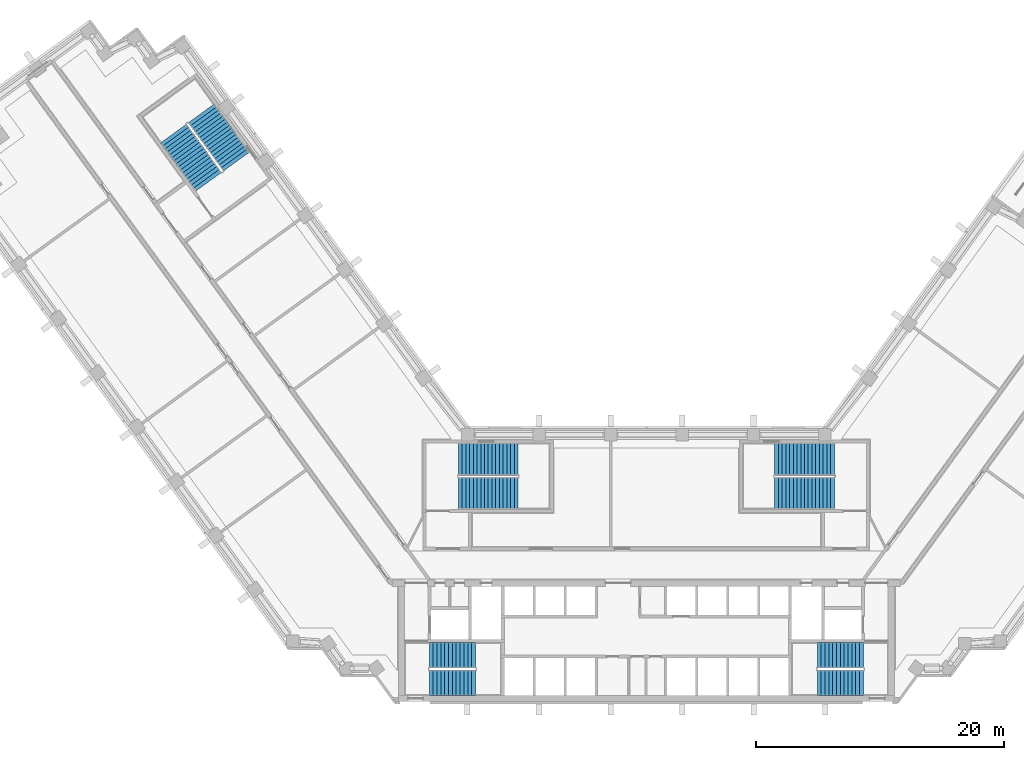
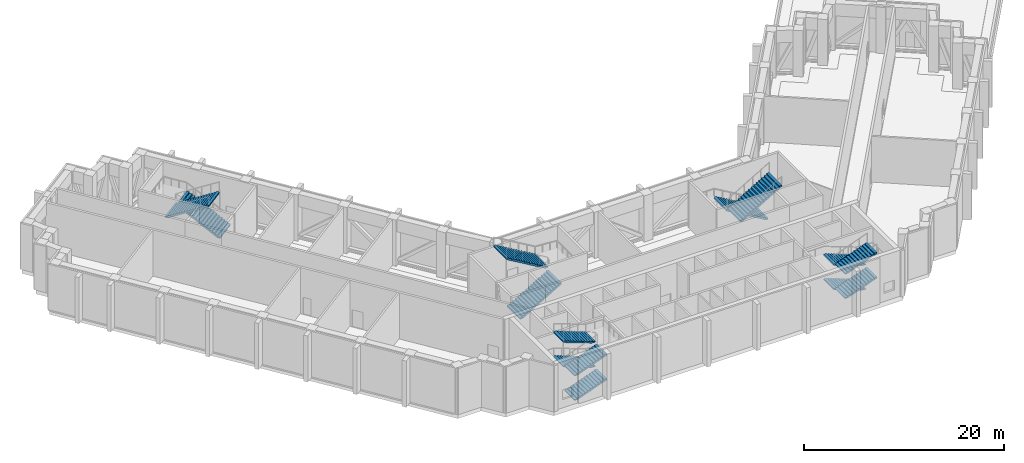
# One storey, part 15 of 18: 14 stair flights, 5 elements without a shape of their own.
"""IFC4 building model written with IfcOpenShell, lengths in metres."""

from ifc_helpers import new_model, si_unit, direction, frame, origin, place, context, subcontext, project, spatial, polyline, outline, extrude, material, type_object, element, aggregate, save


model = new_model("IFC4")

# Units and contexts
model_context = context("Model", 3, precision=1e-05, world=origin(), true_north=direction((0.0, 1.0)))
body_context = subcontext(model_context, "Body", "Model", "MODEL_VIEW")
ifc_project = project(units=[si_unit("LENGTHUNIT", "METRE"), si_unit("AREAUNIT", "SQUARE_METRE"), si_unit("VOLUMEUNIT", "CUBIC_METRE"), si_unit("PLANEANGLEUNIT", "RADIAN"), si_unit("MASSUNIT", "GRAM", prefix="KILO")], contexts=[model_context])

# Site, building, storey
site_placement = place(None, origin())
site = spatial("IfcSite", under=ifc_project, at=site_placement, CompositionType="ELEMENT")
building_placement = place(site_placement, origin())
building = spatial("IfcBuilding", under=site, at=building_placement, Name="Quipu Civic Tower", CompositionType="ELEMENT")
storey_placement = place(building_placement, frame((0.0, 0.0, 79.0)))
storey = spatial("IfcBuildingStorey", under=building, at=storey_placement, Name="L18", CompositionType="ELEMENT", Elevation=79.0)

# Stair, stair flights
ifc_material_1 = material(Name="Concrete C40/50", Category="concrete")
stair_type_1 = type_object("IfcStairType", Name="Half turn stair 2000", PredefinedType="HALF_TURN_STAIR", material=ifc_material_1)
stair_1_placement = place(storey_placement, origin())
stair_1 = element("IfcStair", 1, at=stair_1_placement, inside=storey, type_object=stair_type_1, Name="Exit stair 1", PredefinedType="HALF_TURN_STAIR")
ifc_material_2 = material(Name="Concrete C40/50", Category="concrete")
stair_flight_type_1 = type_object("IfcStairFlightType", Name="Stair flight 2000", PredefinedType="STRAIGHT", material=ifc_material_2)
stair_flight_1_placement = place(storey_placement, frame((-17.5, -9.5, 0.0), z_axis=(0.0, 0.0, 1.0), x_axis=(1.0, 0.0, 0.0)))
stair_flight_1 = element("IfcStairFlight", 2, at=stair_flight_1_placement, type_object=stair_flight_type_1, Name="ST-1 flight 1", NumberOfRisers=13, NumberOfTreads=12, PredefinedType="STRAIGHT", RiserHeight=0.115384615, TreadLength=0.31, context=body_context, shape_type="SweptSolid", body=[
    extrude(outline(polyline([(0.0, 0.0), (0.0, 0.115478515625), (0.31005859375, 0.115478515625), (0.31005859375, 0.230712890625), (0.6201171875, 0.230712890625), (0.6201171875, 0.34619140625), (0.929931640625, 0.34619140625), (0.929931640625, 0.46142578125), (1.239990234375, 0.46142578125), (1.239990234375, 0.576904296875), (1.550048828125, 0.576904296875), (1.550048828125, 0.6923828125), (1.860107421875, 0.6923828125), (1.860107421875, 0.8076171875), (2.169921875, 0.8076171875), (2.169921875, 0.923095703125), (2.47998046875, 0.923095703125), (2.47998046875, 1.03857421875), (2.7900390625, 1.03857421875), (2.7900390625, 1.15380859375), (3.10009765625, 1.15380859375), (3.10009765625, 1.269287109375), (3.409912109375, 1.269287109375), (3.409912109375, 1.384521484375), (3.719970703125, 1.384521484375), (3.719970703125, 1.5), (3.719970703125, 1.224609375), (0.4296875, 0.0), (0.0, 0.0)])), frame((0.0, 1.0, 0.0), z_axis=(0.0, -1.0, 0.0), x_axis=(1.0, 0.0, 0.0)), (0.0, 0.0, 1.0), 2.0),
])
stair_flight_2_placement = place(storey_placement, frame((-13.780029296875, -7.25, 1.5), z_axis=(0.0, 0.0, 1.0), x_axis=(-1.0, 0.0, 0.0)))
stair_flight_2 = element("IfcStairFlight", 3, at=stair_flight_2_placement, type_object=stair_flight_type_1, Name="ST-1 flight 2", NumberOfRisers=13, NumberOfTreads=12, PredefinedType="STRAIGHT", RiserHeight=0.115384615, TreadLength=0.31, context=body_context, shape_type="SweptSolid", body=[
    extrude(outline(polyline([(0.0, 0.0), (0.0, 0.115478515625), (0.31005859375, 0.115478515625), (0.31005859375, 0.230712890625), (0.6201171875, 0.230712890625), (0.6201171875, 0.34619140625), (0.929931640625, 0.34619140625), (0.929931640625, 0.46142578125), (1.239990234375, 0.46142578125), (1.239990234375, 0.576904296875), (1.550048828125, 0.576904296875), (1.550048828125, 0.6923828125), (1.860107421875, 0.6923828125), (1.860107421875, 0.8076171875), (2.169921875, 0.8076171875), (2.169921875, 0.923095703125), (2.47998046875, 0.923095703125), (2.47998046875, 1.03857421875), (2.7900390625, 1.03857421875), (2.7900390625, 1.15380859375), (3.10009765625, 1.15380859375), (3.10009765625, 1.269287109375), (3.409912109375, 1.269287109375), (3.409912109375, 1.384521484375), (3.719970703125, 1.384521484375), (3.719970703125, 1.5), (3.719970703125, 1.224609375), (0.4296875, 0.0), (0.0, 0.0)])), frame((0.0, 1.0, 0.0), z_axis=(0.0, -1.0, 0.0), x_axis=(1.0, 0.0, 0.0)), (0.0, 0.0, 1.0), 2.0),
])
stair_flight_3_placement = place(storey_placement, frame((-17.5, -9.5, 3.0), z_axis=(0.0, 0.0, 1.0), x_axis=(1.0, 0.0, 0.0)))
stair_flight_3 = element("IfcStairFlight", 4, at=stair_flight_3_placement, type_object=stair_flight_type_1, Name="ST-1 flight 3", NumberOfRisers=13, NumberOfTreads=12, PredefinedType="STRAIGHT", RiserHeight=0.115384615, TreadLength=0.31, context=body_context, shape_type="SweptSolid", body=[
    extrude(outline(polyline([(0.0, 0.0), (0.0, 0.115478515625), (0.31005859375, 0.115478515625), (0.31005859375, 0.230712890625), (0.6201171875, 0.230712890625), (0.6201171875, 0.34619140625), (0.929931640625, 0.34619140625), (0.929931640625, 0.46142578125), (1.239990234375, 0.46142578125), (1.239990234375, 0.576904296875), (1.550048828125, 0.576904296875), (1.550048828125, 0.6923828125), (1.860107421875, 0.6923828125), (1.860107421875, 0.8076171875), (2.169921875, 0.8076171875), (2.169921875, 0.923095703125), (2.47998046875, 0.923095703125), (2.47998046875, 1.03857421875), (2.7900390625, 1.03857421875), (2.7900390625, 1.15380859375), (3.10009765625, 1.15380859375), (3.10009765625, 1.269287109375), (3.409912109375, 1.269287109375), (3.409912109375, 1.384521484375), (3.719970703125, 1.384521484375), (3.719970703125, 1.5), (3.719970703125, 1.224609375), (0.4296875, 0.0), (0.0, 0.0)])), frame((0.0, 1.0, 0.0), z_axis=(0.0, -1.0, 0.0), x_axis=(1.0, 0.0, 0.0)), (0.0, 0.0, 1.0), 2.0),
])
stair_flight_4_placement = place(storey_placement, frame((-13.780029296875, -7.25, 4.5), z_axis=(0.0, 0.0, 1.0), x_axis=(-1.0, 0.0, 0.0)))
stair_flight_4 = element("IfcStairFlight", 5, at=stair_flight_4_placement, type_object=stair_flight_type_1, Name="ST-1 flight 4", NumberOfRisers=13, NumberOfTreads=12, PredefinedType="STRAIGHT", RiserHeight=0.115384615, TreadLength=0.31, context=body_context, shape_type="SweptSolid", body=[
    extrude(outline(polyline([(0.0, 0.0), (0.0, 0.115478515625), (0.31005859375, 0.115478515625), (0.31005859375, 0.230712890625), (0.6201171875, 0.230712890625), (0.6201171875, 0.34619140625), (0.929931640625, 0.34619140625), (0.929931640625, 0.46142578125), (1.239990234375, 0.46142578125), (1.239990234375, 0.576904296875), (1.550048828125, 0.576904296875), (1.550048828125, 0.6923828125), (1.860107421875, 0.6923828125), (1.860107421875, 0.8076171875), (2.169921875, 0.8076171875), (2.169921875, 0.923095703125), (2.47998046875, 0.923095703125), (2.47998046875, 1.03857421875), (2.7900390625, 1.03857421875), (2.7900390625, 1.15380859375), (3.10009765625, 1.15380859375), (3.10009765625, 1.269287109375), (3.409912109375, 1.269287109375), (3.409912109375, 1.384521484375), (3.719970703125, 1.384521484375), (3.719970703125, 1.5), (3.719970703125, 1.224609375), (0.4296875, 0.0), (0.0, 0.0)])), frame((0.0, 1.0, 0.0), z_axis=(0.0, -1.0, 0.0), x_axis=(1.0, 0.0, 0.0)), (0.0, 0.0, 1.0), 2.0),
])
aggregate(stair_1, [stair_flight_1, stair_flight_2, stair_flight_3, stair_flight_4])

stair_2_placement = place(storey_placement, origin())
stair_2 = element("IfcStair", 6, at=stair_2_placement, inside=storey, type_object=stair_type_1, Name="Exit stair 2", PredefinedType="HALF_TURN_STAIR")
stair_flight_5_placement = place(storey_placement, frame((17.5, -7.25, 0.0), z_axis=(0.0, 0.0, 1.0), x_axis=(-1.0, 0.0, 0.0)))
stair_flight_5 = element("IfcStairFlight", 7, at=stair_flight_5_placement, type_object=stair_flight_type_1, Name="ST-2 flight 1", NumberOfRisers=13, NumberOfTreads=12, PredefinedType="STRAIGHT", RiserHeight=0.115384615, TreadLength=0.31, context=body_context, shape_type="SweptSolid", body=[
    extrude(outline(polyline([(0.0, 0.0), (0.0, 0.115478515625), (0.31005859375, 0.115478515625), (0.31005859375, 0.230712890625), (0.6201171875, 0.230712890625), (0.6201171875, 0.34619140625), (0.929931640625, 0.34619140625), (0.929931640625, 0.46142578125), (1.239990234375, 0.46142578125), (1.239990234375, 0.576904296875), (1.550048828125, 0.576904296875), (1.550048828125, 0.6923828125), (1.860107421875, 0.6923828125), (1.860107421875, 0.8076171875), (2.169921875, 0.8076171875), (2.169921875, 0.923095703125), (2.47998046875, 0.923095703125), (2.47998046875, 1.03857421875), (2.7900390625, 1.03857421875), (2.7900390625, 1.15380859375), (3.10009765625, 1.15380859375), (3.10009765625, 1.269287109375), (3.409912109375, 1.269287109375), (3.409912109375, 1.384521484375), (3.719970703125, 1.384521484375), (3.719970703125, 1.5), (3.719970703125, 1.224609375), (0.4296875, 0.0), (0.0, 0.0)])), frame((0.0, 1.0, 0.0), z_axis=(0.0, -1.0, 0.0), x_axis=(1.0, 0.0, 0.0)), (0.0, 0.0, 1.0), 2.0),
])
stair_flight_6_placement = place(storey_placement, frame((13.780029296875, -9.5, 1.5), z_axis=(0.0, 0.0, 1.0), x_axis=(1.0, 0.0, 0.0)))
stair_flight_6 = element("IfcStairFlight", 8, at=stair_flight_6_placement, type_object=stair_flight_type_1, Name="ST-2 flight 2", NumberOfRisers=13, NumberOfTreads=12, PredefinedType="STRAIGHT", RiserHeight=0.115384615, TreadLength=0.31, context=body_context, shape_type="SweptSolid", body=[
    extrude(outline(polyline([(0.0, 0.0), (0.0, 0.115478515625), (0.31005859375, 0.115478515625), (0.31005859375, 0.230712890625), (0.6201171875, 0.230712890625), (0.6201171875, 0.34619140625), (0.929931640625, 0.34619140625), (0.929931640625, 0.46142578125), (1.239990234375, 0.46142578125), (1.239990234375, 0.576904296875), (1.550048828125, 0.576904296875), (1.550048828125, 0.6923828125), (1.860107421875, 0.6923828125), (1.860107421875, 0.8076171875), (2.169921875, 0.8076171875), (2.169921875, 0.923095703125), (2.47998046875, 0.923095703125), (2.47998046875, 1.03857421875), (2.7900390625, 1.03857421875), (2.7900390625, 1.15380859375), (3.10009765625, 1.15380859375), (3.10009765625, 1.269287109375), (3.409912109375, 1.269287109375), (3.409912109375, 1.384521484375), (3.719970703125, 1.384521484375), (3.719970703125, 1.5), (3.719970703125, 1.224609375), (0.4296875, 0.0), (0.0, 0.0)])), frame((0.0, 1.0, 0.0), z_axis=(0.0, -1.0, 0.0), x_axis=(1.0, 0.0, 0.0)), (0.0, 0.0, 1.0), 2.0),
])
stair_flight_7_placement = place(storey_placement, frame((17.5, -7.25, 3.0), z_axis=(0.0, 0.0, 1.0), x_axis=(-1.0, 0.0, 0.0)))
stair_flight_7 = element("IfcStairFlight", 9, at=stair_flight_7_placement, type_object=stair_flight_type_1, Name="ST-2 flight 3", NumberOfRisers=13, NumberOfTreads=12, PredefinedType="STRAIGHT", RiserHeight=0.115384615, TreadLength=0.31, context=body_context, shape_type="SweptSolid", body=[
    extrude(outline(polyline([(0.0, 0.0), (0.0, 0.115478515625), (0.31005859375, 0.115478515625), (0.31005859375, 0.230712890625), (0.6201171875, 0.230712890625), (0.6201171875, 0.34619140625), (0.929931640625, 0.34619140625), (0.929931640625, 0.46142578125), (1.239990234375, 0.46142578125), (1.239990234375, 0.576904296875), (1.550048828125, 0.576904296875), (1.550048828125, 0.6923828125), (1.860107421875, 0.6923828125), (1.860107421875, 0.8076171875), (2.169921875, 0.8076171875), (2.169921875, 0.923095703125), (2.47998046875, 0.923095703125), (2.47998046875, 1.03857421875), (2.7900390625, 1.03857421875), (2.7900390625, 1.15380859375), (3.10009765625, 1.15380859375), (3.10009765625, 1.269287109375), (3.409912109375, 1.269287109375), (3.409912109375, 1.384521484375), (3.719970703125, 1.384521484375), (3.719970703125, 1.5), (3.719970703125, 1.224609375), (0.4296875, 0.0), (0.0, 0.0)])), frame((0.0, 1.0, 0.0), z_axis=(0.0, -1.0, 0.0), x_axis=(1.0, 0.0, 0.0)), (0.0, 0.0, 1.0), 2.0),
])
stair_flight_8_placement = place(storey_placement, frame((13.780029296875, -9.5, 4.5), z_axis=(0.0, 0.0, 1.0), x_axis=(1.0, 0.0, 0.0)))
stair_flight_8 = element("IfcStairFlight", 10, at=stair_flight_8_placement, type_object=stair_flight_type_1, Name="ST-2 flight 4", NumberOfRisers=13, NumberOfTreads=12, PredefinedType="STRAIGHT", RiserHeight=0.115384615, TreadLength=0.31, context=body_context, shape_type="SweptSolid", body=[
    extrude(outline(polyline([(0.0, 0.0), (0.0, 0.115478515625), (0.31005859375, 0.115478515625), (0.31005859375, 0.230712890625), (0.6201171875, 0.230712890625), (0.6201171875, 0.34619140625), (0.929931640625, 0.34619140625), (0.929931640625, 0.46142578125), (1.239990234375, 0.46142578125), (1.239990234375, 0.576904296875), (1.550048828125, 0.576904296875), (1.550048828125, 0.6923828125), (1.860107421875, 0.6923828125), (1.860107421875, 0.8076171875), (2.169921875, 0.8076171875), (2.169921875, 0.923095703125), (2.47998046875, 0.923095703125), (2.47998046875, 1.03857421875), (2.7900390625, 1.03857421875), (2.7900390625, 1.15380859375), (3.10009765625, 1.15380859375), (3.10009765625, 1.269287109375), (3.409912109375, 1.269287109375), (3.409912109375, 1.384521484375), (3.719970703125, 1.384521484375), (3.719970703125, 1.5), (3.719970703125, 1.224609375), (0.4296875, 0.0), (0.0, 0.0)])), frame((0.0, 1.0, 0.0), z_axis=(0.0, -1.0, 0.0), x_axis=(1.0, 0.0, 0.0)), (0.0, 0.0, 1.0), 2.0),
])
aggregate(stair_2, [stair_flight_5, stair_flight_6, stair_flight_7, stair_flight_8])

ifc_material_3 = material(Name="Concrete C40/50", Category="concrete")
stair_type_2 = type_object("IfcStairType", Name="Half turn stair 2600", PredefinedType="HALF_TURN_STAIR", material=ifc_material_3)
stair_3_placement = place(storey_placement, origin())
stair_3 = element("IfcStair", 11, at=stair_3_placement, inside=storey, type_object=stair_type_2, Name="Exit stair 3", PredefinedType="HALF_TURN_STAIR")
ifc_material_4 = material(Name="Concrete C40/50", Category="concrete")
stair_flight_type_2 = type_object("IfcStairFlightType", Name="Stair flight 2600", PredefinedType="STRAIGHT", material=ifc_material_4)
stair_flight_9_placement = place(storey_placement, frame((-15.14990234375, 5.800048828125, 0.0), z_axis=(0.0, 0.0, 1.0), x_axis=(1.0, 0.0, 0.0)))
stair_flight_9 = element("IfcStairFlight", 12, at=stair_flight_9_placement, type_object=stair_flight_type_2, Name="ST-3 flight 1", NumberOfRisers=17, NumberOfTreads=16, PredefinedType="STRAIGHT", RiserHeight=0.176470588, TreadLength=0.3, context=body_context, shape_type="SweptSolid", body=[
    extrude(outline(polyline([(0.0, 0.0), (0.0, 0.176513671875), (0.300048828125, 0.176513671875), (0.300048828125, 0.35302734375), (0.60009765625, 0.35302734375), (0.60009765625, 0.529296875), (0.89990234375, 0.529296875), (0.89990234375, 0.705810546875), (1.199951171875, 0.705810546875), (1.199951171875, 0.88232421875), (1.5, 0.88232421875), (1.5, 1.058837890625), (1.800048828125, 1.058837890625), (1.800048828125, 1.2353515625), (2.10009765625, 1.2353515625), (2.10009765625, 1.411865234375), (2.39990234375, 1.411865234375), (2.39990234375, 1.588134765625), (2.699951171875, 1.588134765625), (2.699951171875, 1.7646484375), (3.0, 1.7646484375), (3.0, 1.941162109375), (3.300048828125, 1.941162109375), (3.300048828125, 2.11767578125), (3.60009765625, 2.11767578125), (3.60009765625, 2.294189453125), (3.89990234375, 2.294189453125), (3.89990234375, 2.470703125), (4.199951171875, 2.470703125), (4.199951171875, 2.64697265625), (4.5, 2.64697265625), (4.5, 2.823486328125), (4.800048828125, 2.823486328125), (4.800048828125, 3.0), (4.800048828125, 2.649658203125), (0.295654296875, 0.0), (0.0, 0.0)])), frame((0.0, 1.300048828125, 0.0), z_axis=(0.0, -1.0, 0.0), x_axis=(1.0, 0.0, 0.0)), (0.0, 0.0, 1.0), 2.60009765625),
])
stair_flight_10_placement = place(storey_placement, frame((-10.35009765625, 8.550048828125, 3.0), z_axis=(0.0, 0.0, 1.0), x_axis=(-1.0, 0.0, 0.0)))
stair_flight_10 = element("IfcStairFlight", 13, at=stair_flight_10_placement, type_object=stair_flight_type_2, Name="ST-3 flight 2", NumberOfRisers=17, NumberOfTreads=16, PredefinedType="STRAIGHT", RiserHeight=0.176470588, TreadLength=0.3, context=body_context, shape_type="SweptSolid", body=[
    extrude(outline(polyline([(0.0, 0.0), (0.0, 0.176513671875), (0.300048828125, 0.176513671875), (0.300048828125, 0.35302734375), (0.60009765625, 0.35302734375), (0.60009765625, 0.529296875), (0.89990234375, 0.529296875), (0.89990234375, 0.705810546875), (1.199951171875, 0.705810546875), (1.199951171875, 0.88232421875), (1.5, 0.88232421875), (1.5, 1.058837890625), (1.800048828125, 1.058837890625), (1.800048828125, 1.2353515625), (2.10009765625, 1.2353515625), (2.10009765625, 1.411865234375), (2.39990234375, 1.411865234375), (2.39990234375, 1.588134765625), (2.699951171875, 1.588134765625), (2.699951171875, 1.7646484375), (3.0, 1.7646484375), (3.0, 1.941162109375), (3.300048828125, 1.941162109375), (3.300048828125, 2.11767578125), (3.60009765625, 2.11767578125), (3.60009765625, 2.294189453125), (3.89990234375, 2.294189453125), (3.89990234375, 2.470703125), (4.199951171875, 2.470703125), (4.199951171875, 2.64697265625), (4.5, 2.64697265625), (4.5, 2.823486328125), (4.800048828125, 2.823486328125), (4.800048828125, 3.0), (4.800048828125, 2.649658203125), (0.295654296875, 0.0), (0.0, 0.0)])), frame((0.0, 1.300048828125, 0.0), z_axis=(0.0, -1.0, 0.0), x_axis=(1.0, 0.0, 0.0)), (0.0, 0.0, 1.0), 2.60009765625),
])
aggregate(stair_3, [stair_flight_9, stair_flight_10])

stair_4_placement = place(storey_placement, origin())
stair_4 = element("IfcStair", 14, at=stair_4_placement, inside=storey, type_object=stair_type_2, Name="Exit stair 4", PredefinedType="HALF_TURN_STAIR")
stair_flight_11_placement = place(storey_placement, frame((15.14990234375, 8.550048828125, 0.0), z_axis=(0.0, 0.0, 1.0), x_axis=(-1.0, 0.0, 0.0)))
stair_flight_11 = element("IfcStairFlight", 15, at=stair_flight_11_placement, type_object=stair_flight_type_2, Name="ST-4 flight 1", NumberOfRisers=17, NumberOfTreads=16, PredefinedType="STRAIGHT", RiserHeight=0.176470588, TreadLength=0.3, context=body_context, shape_type="SweptSolid", body=[
    extrude(outline(polyline([(0.0, 0.0), (0.0, 0.176513671875), (0.300048828125, 0.176513671875), (0.300048828125, 0.35302734375), (0.60009765625, 0.35302734375), (0.60009765625, 0.529296875), (0.89990234375, 0.529296875), (0.89990234375, 0.705810546875), (1.199951171875, 0.705810546875), (1.199951171875, 0.88232421875), (1.5, 0.88232421875), (1.5, 1.058837890625), (1.800048828125, 1.058837890625), (1.800048828125, 1.2353515625), (2.10009765625, 1.2353515625), (2.10009765625, 1.411865234375), (2.39990234375, 1.411865234375), (2.39990234375, 1.588134765625), (2.699951171875, 1.588134765625), (2.699951171875, 1.7646484375), (3.0, 1.7646484375), (3.0, 1.941162109375), (3.300048828125, 1.941162109375), (3.300048828125, 2.11767578125), (3.60009765625, 2.11767578125), (3.60009765625, 2.294189453125), (3.89990234375, 2.294189453125), (3.89990234375, 2.470703125), (4.199951171875, 2.470703125), (4.199951171875, 2.64697265625), (4.5, 2.64697265625), (4.5, 2.823486328125), (4.800048828125, 2.823486328125), (4.800048828125, 3.0), (4.800048828125, 2.649658203125), (0.295654296875, 0.0), (0.0, 0.0)])), frame((0.0, 1.300048828125, 0.0), z_axis=(0.0, -1.0, 0.0), x_axis=(1.0, 0.0, 0.0)), (0.0, 0.0, 1.0), 2.60009765625),
])
stair_flight_12_placement = place(storey_placement, frame((10.35009765625, 5.800048828125, 3.0), z_axis=(0.0, 0.0, 1.0), x_axis=(1.0, 0.0, 0.0)))
stair_flight_12 = element("IfcStairFlight", 16, at=stair_flight_12_placement, type_object=stair_flight_type_2, Name="ST-4 flight 2", NumberOfRisers=17, NumberOfTreads=16, PredefinedType="STRAIGHT", RiserHeight=0.176470588, TreadLength=0.3, context=body_context, shape_type="SweptSolid", body=[
    extrude(outline(polyline([(0.0, 0.0), (0.0, 0.176513671875), (0.300048828125, 0.176513671875), (0.300048828125, 0.35302734375), (0.60009765625, 0.35302734375), (0.60009765625, 0.529296875), (0.89990234375, 0.529296875), (0.89990234375, 0.705810546875), (1.199951171875, 0.705810546875), (1.199951171875, 0.88232421875), (1.5, 0.88232421875), (1.5, 1.058837890625), (1.800048828125, 1.058837890625), (1.800048828125, 1.2353515625), (2.10009765625, 1.2353515625), (2.10009765625, 1.411865234375), (2.39990234375, 1.411865234375), (2.39990234375, 1.588134765625), (2.699951171875, 1.588134765625), (2.699951171875, 1.7646484375), (3.0, 1.7646484375), (3.0, 1.941162109375), (3.300048828125, 1.941162109375), (3.300048828125, 2.11767578125), (3.60009765625, 2.11767578125), (3.60009765625, 2.294189453125), (3.89990234375, 2.294189453125), (3.89990234375, 2.470703125), (4.199951171875, 2.470703125), (4.199951171875, 2.64697265625), (4.5, 2.64697265625), (4.5, 2.823486328125), (4.800048828125, 2.823486328125), (4.800048828125, 3.0), (4.800048828125, 2.649658203125), (0.295654296875, 0.0), (0.0, 0.0)])), frame((0.0, 1.300048828125, 0.0), z_axis=(0.0, -1.0, 0.0), x_axis=(1.0, 0.0, 0.0)), (0.0, 0.0, 1.0), 2.60009765625),
])
aggregate(stair_4, [stair_flight_11, stair_flight_12])

stair_5_placement = place(storey_placement, origin())
stair_5 = element("IfcStair", 17, at=stair_5_placement, inside=storey, type_object=stair_type_2, Name="Exit stair 6", PredefinedType="HALF_TURN_STAIR")
stair_flight_13_placement = place(storey_placement, frame((-33.067626953125, 32.5322265625, 0.0), z_axis=(0.0, 0.0, 1.0), x_axis=(-0.587785252292, 0.809016994375, 0.0)))
stair_flight_13 = element("IfcStairFlight", 18, at=stair_flight_13_placement, type_object=stair_flight_type_2, Name="ST-6 flight 1", NumberOfRisers=17, NumberOfTreads=16, PredefinedType="STRAIGHT", RiserHeight=0.176470588, TreadLength=0.3, context=body_context, shape_type="SweptSolid", body=[
    extrude(outline(polyline([(0.0, 0.0), (0.0, 0.176513671875), (0.300048828125, 0.176513671875), (0.300048828125, 0.35302734375), (0.60009765625, 0.35302734375), (0.60009765625, 0.529296875), (0.89990234375, 0.529296875), (0.89990234375, 0.705810546875), (1.199951171875, 0.705810546875), (1.199951171875, 0.88232421875), (1.5, 0.88232421875), (1.5, 1.058837890625), (1.800048828125, 1.058837890625), (1.800048828125, 1.2353515625), (2.10009765625, 1.2353515625), (2.10009765625, 1.411865234375), (2.39990234375, 1.411865234375), (2.39990234375, 1.588134765625), (2.699951171875, 1.588134765625), (2.699951171875, 1.7646484375), (3.0, 1.7646484375), (3.0, 1.941162109375), (3.300048828125, 1.941162109375), (3.300048828125, 2.11767578125), (3.60009765625, 2.11767578125), (3.60009765625, 2.294189453125), (3.89990234375, 2.294189453125), (3.89990234375, 2.470703125), (4.199951171875, 2.470703125), (4.199951171875, 2.64697265625), (4.5, 2.64697265625), (4.5, 2.823486328125), (4.800048828125, 2.823486328125), (4.800048828125, 3.0), (4.800048828125, 2.649658203125), (0.295654296875, 0.0), (0.0, 0.0)])), frame((0.0, 1.300048828125, 0.0), z_axis=(0.0, -1.0, 0.0), x_axis=(1.0, 0.0, 0.0)), (0.0, 0.0, 1.0), 2.60009765625),
])
stair_flight_14_placement = place(storey_placement, frame((-38.11376953125, 34.799072265625, 3.0), z_axis=(0.0, 0.0, 1.0), x_axis=(0.587785252292, -0.809016994375, 0.0)))
stair_flight_14 = element("IfcStairFlight", 19, at=stair_flight_14_placement, type_object=stair_flight_type_2, Name="ST-6 flight 2", NumberOfRisers=17, NumberOfTreads=16, PredefinedType="STRAIGHT", RiserHeight=0.176470588, TreadLength=0.3, context=body_context, shape_type="SweptSolid", body=[
    extrude(outline(polyline([(0.0, 0.0), (0.0, 0.176513671875), (0.300048828125, 0.176513671875), (0.300048828125, 0.35302734375), (0.60009765625, 0.35302734375), (0.60009765625, 0.529296875), (0.89990234375, 0.529296875), (0.89990234375, 0.705810546875), (1.199951171875, 0.705810546875), (1.199951171875, 0.88232421875), (1.5, 0.88232421875), (1.5, 1.058837890625), (1.800048828125, 1.058837890625), (1.800048828125, 1.2353515625), (2.10009765625, 1.2353515625), (2.10009765625, 1.411865234375), (2.39990234375, 1.411865234375), (2.39990234375, 1.588134765625), (2.699951171875, 1.588134765625), (2.699951171875, 1.7646484375), (3.0, 1.7646484375), (3.0, 1.941162109375), (3.300048828125, 1.941162109375), (3.300048828125, 2.11767578125), (3.60009765625, 2.11767578125), (3.60009765625, 2.294189453125), (3.89990234375, 2.294189453125), (3.89990234375, 2.470703125), (4.199951171875, 2.470703125), (4.199951171875, 2.64697265625), (4.5, 2.64697265625), (4.5, 2.823486328125), (4.800048828125, 2.823486328125), (4.800048828125, 3.0), (4.800048828125, 2.649658203125), (0.295654296875, 0.0), (0.0, 0.0)])), frame((0.0, 1.300048828125, 0.0), z_axis=(0.0, -1.0, 0.0), x_axis=(1.0, 0.0, 0.0)), (0.0, 0.0, 1.0), 2.60009765625),
])
aggregate(stair_5, [stair_flight_13, stair_flight_14])

save(model, "model.ifc")
